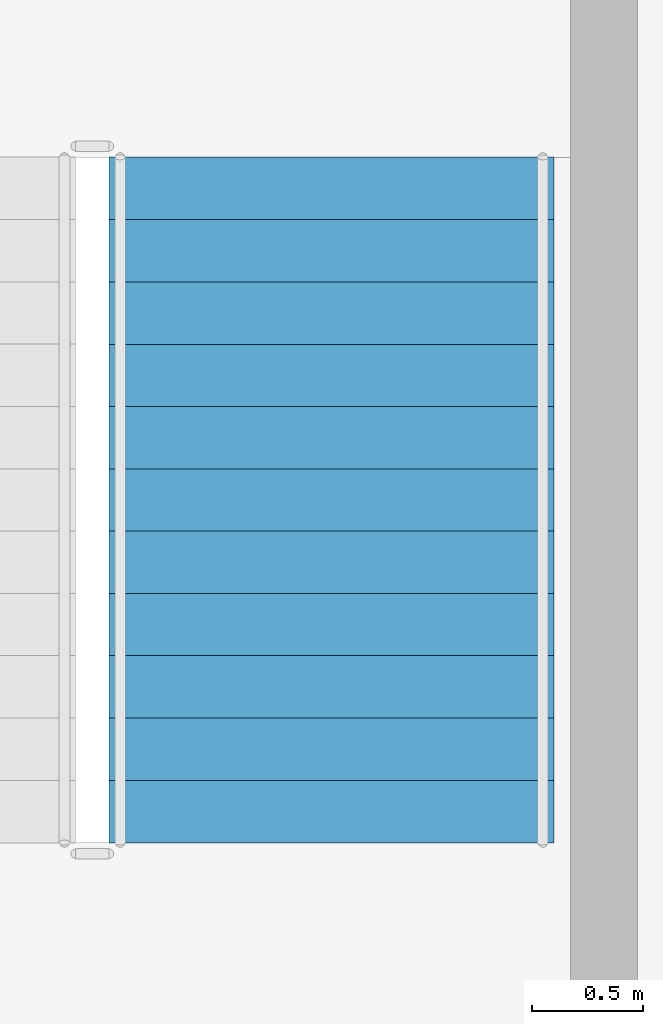
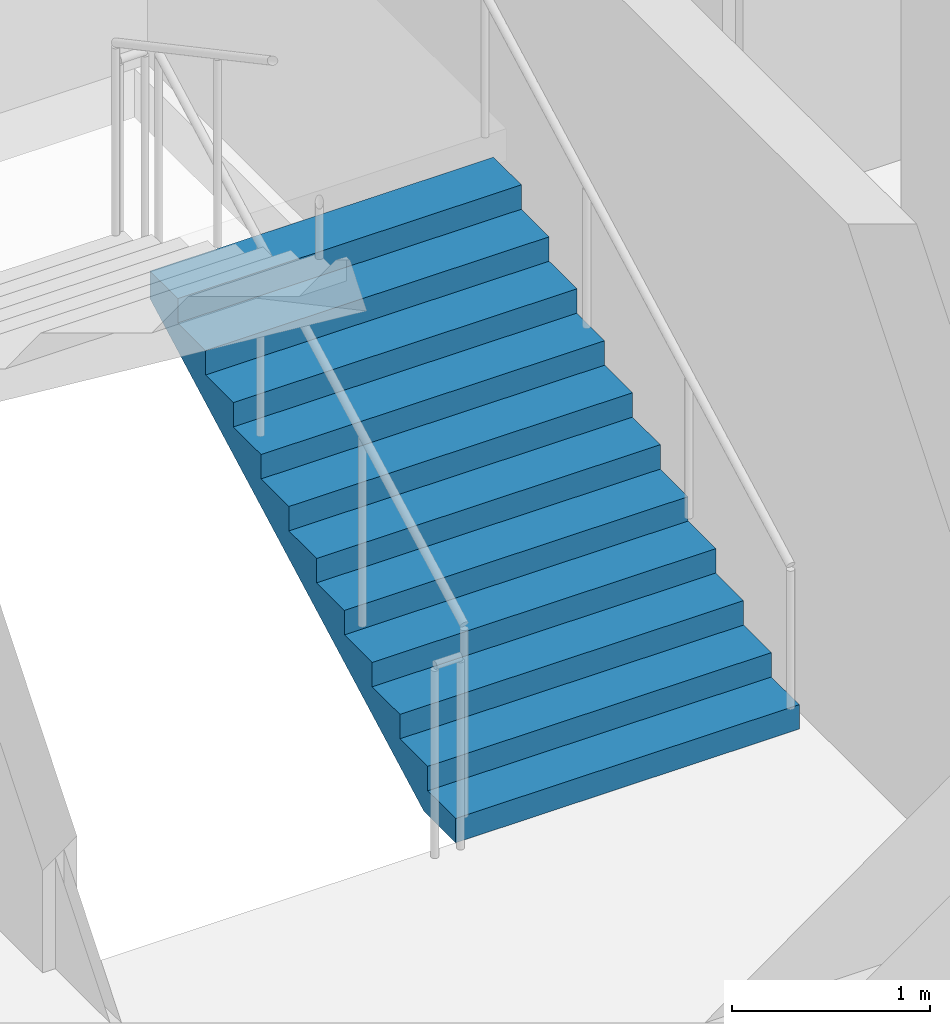
# One storey, part 12 of 21: 1 stair flight, 1 element without a shape of its own.
"""IFC4 building model written with IfcOpenShell, lengths in metres."""

from ifc_helpers import new_model, si_unit, direction, frame, origin, place, context, subcontext, project, spatial, polygons, material, type_object, element, aggregate, save


model = new_model("IFC4")

# Units and contexts
model_context = context("Model", 3, precision=1e-05, world=origin(), true_north=direction((0.0, 1.0)))
body_context = subcontext(model_context, "Body", "Model", "MODEL_VIEW")
ifc_project = project(units=[si_unit("LENGTHUNIT", "METRE"), si_unit("AREAUNIT", "SQUARE_METRE"), si_unit("VOLUMEUNIT", "CUBIC_METRE"), si_unit("PLANEANGLEUNIT", "RADIAN"), si_unit("MASSUNIT", "GRAM", prefix="KILO")], contexts=[model_context])

# Site, building, storey
site_placement = place(None, origin())
site = spatial("IfcSite", under=ifc_project, at=site_placement, CompositionType="ELEMENT")
building_placement = place(site_placement, origin())
building = spatial("IfcBuilding", under=site, at=building_placement, Name="Caravel Reach Hotel and Residences", CompositionType="ELEMENT")
storey_placement = place(building_placement, frame((0.0, 0.0, 115.199951171875)))
storey = spatial("IfcBuildingStorey", under=building, at=storey_placement, Name="L28", CompositionType="ELEMENT", Elevation=115.199951171875)

# Stair, stair flight
ifc_material_1 = material(Name="Concrete C40", Category="concrete")
stair_type = type_object("IfcStairType", Name="Core stair", PredefinedType="HALF_TURN_STAIR", material=ifc_material_1)
stair_placement = place(storey_placement, origin())
stair = element("IfcStair", 1, at=stair_placement, inside=storey, type_object=stair_type, Name="L28 Exit stair B", PredefinedType="HALF_TURN_STAIR")
ifc_material_2 = material(Name="Concrete C40", Category="concrete")
stair_flight_type = type_object("IfcStairFlightType", Name="Core stair flight", PredefinedType="STRAIGHT", material=ifc_material_2)
stair_flight_placement = place(storey_placement, frame((43.77490234375, 24.64990234375, 0.0), z_axis=(0.0, 0.0, 1.0), x_axis=(0.0, 1.0, 0.0)))
stair_flight = element("IfcStairFlight", 2, at=stair_flight_placement, type_object=stair_flight_type, Name="ST-B flight 1", NumberOfRisers=12, NumberOfTreads=11, PredefinedType="STRAIGHT", RiserHeight=0.15, TreadLength=0.28, context=body_context, shape_type="Tessellation", body=[
    polygons([(0.3174408016601862, 1.0, 0.0), (0.3174408016601862, 0.6666666666666667, 0.0), (0.3174408016601862, 0.33333333333333337, 0.0), (0.3174408016601862, 0.0, 0.0), (0.3174408016601862, -0.33333333333333326, 0.0), (0.3174408016601862, -0.6666666666666667, 0.0), (0.3174408016601862, -1.0, 0.0), (3.081, 1.0, 1.479942427682043), (3.081, 0.6666666666666667, 1.479942427682043), (3.081, 0.33333333333333337, 1.479942427682043), (3.081, 0.0, 1.479942427682043), (3.081, -0.33333333333333326, 1.479942427682043), (3.081, -0.6666666666666667, 1.479942427682043), (3.081, -1.0, 1.479942427682043), (3.081, 1.0, 1.65), (3.081, 0.6666666666666667, 1.65), (3.081, 0.33333333333333337, 1.65), (3.081, 0.0, 1.65), (3.081, -0.33333333333333326, 1.65), (3.081, -0.6666666666666667, 1.65), (3.081, -1.0, 1.65), (2.8000000000000003, 1.0, 1.65), (2.8000000000000003, 0.6666666666666667, 1.65), (2.8000000000000003, 0.33333333333333337, 1.65), (2.8000000000000003, 0.0, 1.65), (2.8000000000000003, -0.33333333333333326, 1.65), (2.8000000000000003, -0.6666666666666667, 1.65), (2.8000000000000003, -1.0, 1.65), (2.8000000000000003, 1.0, 1.5), (2.8000000000000003, 0.6666666666666667, 1.5), (2.8000000000000003, 0.33333333333333337, 1.5), (2.8000000000000003, 0.0, 1.5), (2.8000000000000003, -0.33333333333333326, 1.5), (2.8000000000000003, -0.6666666666666667, 1.5), (2.8000000000000003, -1.0, 1.5), (2.5200000000000005, 1.0, 1.5), (2.5200000000000005, 0.6666666666666667, 1.5), (2.5200000000000005, 0.33333333333333337, 1.5), (2.5200000000000005, 0.0, 1.5), (2.5200000000000005, -0.33333333333333326, 1.5), (2.5200000000000005, -0.6666666666666667, 1.5), (2.5200000000000005, -1.0, 1.5), (2.5200000000000005, 1.0, 1.3499999999999999), (2.5200000000000005, 0.6666666666666667, 1.3499999999999999), (2.5200000000000005, 0.33333333333333337, 1.3499999999999999), (2.5200000000000005, 0.0, 1.3499999999999999), (2.5200000000000005, -0.33333333333333326, 1.3499999999999999), (2.5200000000000005, -0.6666666666666667, 1.3499999999999999), (2.5200000000000005, -1.0, 1.3499999999999999), (2.24, 1.0, 1.3499999999999999), (2.24, 0.6666666666666667, 1.3499999999999999), (2.24, 0.33333333333333337, 1.3499999999999999), (2.24, 0.0, 1.3499999999999999), (2.24, -0.33333333333333326, 1.3499999999999999), (2.24, -0.6666666666666667, 1.3499999999999999), (2.24, -1.0, 1.3499999999999999), (2.24, 1.0, 1.2), (2.24, 0.6666666666666667, 1.2), (2.24, 0.33333333333333337, 1.2), (2.24, 0.0, 1.2), (2.24, -0.33333333333333326, 1.2), (2.24, -0.6666666666666667, 1.2), (2.24, -1.0, 1.2), (1.9600000000000002, 1.0, 1.2), (1.9600000000000002, 0.6666666666666667, 1.2), (1.9600000000000002, 0.33333333333333337, 1.2), (1.9600000000000002, 0.0, 1.2), (1.9600000000000002, -0.33333333333333326, 1.2), (1.9600000000000002, -0.6666666666666667, 1.2), (1.9600000000000002, -1.0, 1.2), (1.9600000000000002, 1.0, 1.05), (1.9600000000000002, 0.6666666666666667, 1.05), (1.9600000000000002, 0.33333333333333337, 1.05), (1.9600000000000002, 0.0, 1.05), (1.9600000000000002, -0.33333333333333326, 1.05), (1.9600000000000002, -0.6666666666666667, 1.05), (1.9600000000000002, -1.0, 1.05), (1.6800000000000002, 1.0, 1.05), (1.6800000000000002, 0.6666666666666667, 1.05), (1.6800000000000002, 0.33333333333333337, 1.05), (1.6800000000000002, 0.0, 1.05), (1.6800000000000002, -0.33333333333333326, 1.05), (1.6800000000000002, -0.6666666666666667, 1.05), (1.6800000000000002, -1.0, 1.05), (1.6800000000000002, 1.0, 0.8999999999999999), (1.6800000000000002, 0.6666666666666667, 0.8999999999999999), (1.6800000000000002, 0.33333333333333337, 0.8999999999999999), (1.6800000000000002, 0.0, 0.8999999999999999), (1.6800000000000002, -0.33333333333333326, 0.8999999999999999), (1.6800000000000002, -0.6666666666666667, 0.8999999999999999), (1.6800000000000002, -1.0, 0.8999999999999999), (1.4000000000000001, 1.0, 0.8999999999999999), (1.4000000000000001, 0.6666666666666667, 0.8999999999999999), (1.4000000000000001, 0.33333333333333337, 0.8999999999999999), (1.4000000000000001, 0.0, 0.8999999999999999), (1.4000000000000001, -0.33333333333333326, 0.8999999999999999), (1.4000000000000001, -0.6666666666666667, 0.8999999999999999), (1.4000000000000001, -1.0, 0.8999999999999999), (1.4000000000000001, 1.0, 0.75), (1.4000000000000001, 0.6666666666666667, 0.75), (1.4000000000000001, 0.33333333333333337, 0.75), (1.4000000000000001, 0.0, 0.75), (1.4000000000000001, -0.33333333333333326, 0.75), (1.4000000000000001, -0.6666666666666667, 0.75), (1.4000000000000001, -1.0, 0.75), (1.12, 1.0, 0.75), (1.12, 0.6666666666666667, 0.75), (1.12, 0.33333333333333337, 0.75), (1.12, 0.0, 0.75), (1.12, -0.33333333333333326, 0.75), (1.12, -0.6666666666666667, 0.75), (1.12, -1.0, 0.75), (1.12, 1.0, 0.6), (1.12, 0.6666666666666667, 0.6), (1.12, 0.33333333333333337, 0.6), (1.12, 0.0, 0.6), (1.12, -0.33333333333333326, 0.6), (1.12, -0.6666666666666667, 0.6), (1.12, -1.0, 0.6), (0.8400000000000001, 1.0, 0.6), (0.8400000000000001, 0.6666666666666667, 0.6), (0.8400000000000001, 0.33333333333333337, 0.6), (0.8400000000000001, 0.0, 0.6), (0.8400000000000001, -0.33333333333333326, 0.6), (0.8400000000000001, -0.6666666666666667, 0.6), (0.8400000000000001, -1.0, 0.6), (0.8400000000000001, 1.0, 0.44999999999999996), (0.8400000000000001, 0.6666666666666667, 0.44999999999999996), (0.8400000000000001, 0.33333333333333337, 0.44999999999999996), (0.8400000000000001, 0.0, 0.44999999999999996), (0.8400000000000001, -0.33333333333333326, 0.44999999999999996), (0.8400000000000001, -0.6666666666666667, 0.44999999999999996), (0.8400000000000001, -1.0, 0.44999999999999996), (0.56, 1.0, 0.44999999999999996), (0.56, 0.6666666666666667, 0.44999999999999996), (0.56, 0.33333333333333337, 0.44999999999999996), (0.56, 0.0, 0.44999999999999996), (0.56, -0.33333333333333326, 0.44999999999999996), (0.56, -0.6666666666666667, 0.44999999999999996), (0.56, -1.0, 0.44999999999999996), (0.56, 1.0, 0.3), (0.56, 0.6666666666666667, 0.3), (0.56, 0.33333333333333337, 0.3), (0.56, 0.0, 0.3), (0.56, -0.33333333333333326, 0.3), (0.56, -0.6666666666666667, 0.3), (0.56, -1.0, 0.3), (0.28, 1.0, 0.3), (0.28, 0.6666666666666667, 0.3), (0.28, 0.33333333333333337, 0.3), (0.28, 0.0, 0.3), (0.28, -0.33333333333333326, 0.3), (0.28, -0.6666666666666667, 0.3), (0.28, -1.0, 0.3), (0.28, 1.0, 0.15), (0.28, 0.6666666666666667, 0.15), (0.28, 0.33333333333333337, 0.15), (0.28, 0.0, 0.15), (0.28, -0.33333333333333326, 0.15), (0.28, -0.6666666666666667, 0.15), (0.28, -1.0, 0.15), (-0.001, 1.0, 0.15), (-0.001, 0.6666666666666667, 0.15), (-0.001, 0.33333333333333337, 0.15), (-0.001, 0.0, 0.15), (-0.001, -0.33333333333333326, 0.15), (-0.001, -0.6666666666666667, 0.15), (-0.001, -1.0, 0.15), (-0.001, 1.0, 0.0), (-0.001, 0.6666666666666667, 0.0), (-0.001, 0.33333333333333337, 0.0), (-0.001, 0.0, 0.0), (-0.001, -0.33333333333333326, 0.0), (-0.001, -0.6666666666666667, 0.0), (-0.001, -1.0, 0.0)], [[[169, 162, 155, 148, 141, 134, 127, 120, 113, 106, 99, 92, 85, 78, 71, 64, 57, 50, 43, 36, 29, 22, 15, 8, 1]], [[7, 14, 21, 28, 35, 42, 49, 56, 63, 70, 77, 84, 91, 98, 105, 112, 119, 126, 133, 140, 147, 154, 161, 168, 175]], [[1, 8, 9, 2]], [[2, 9, 10, 3]], [[3, 10, 11, 4]], [[4, 11, 12, 5]], [[5, 12, 13, 6]], [[6, 13, 14, 7]], [[8, 15, 16, 9]], [[9, 16, 17, 10]], [[10, 17, 18, 11]], [[11, 18, 19, 12]], [[12, 19, 20, 13]], [[13, 20, 21, 14]], [[15, 22, 23, 16]], [[16, 23, 24, 17]], [[17, 24, 25, 18]], [[18, 25, 26, 19]], [[19, 26, 27, 20]], [[20, 27, 28, 21]], [[22, 29, 30, 23]], [[23, 30, 31, 24]], [[24, 31, 32, 25]], [[25, 32, 33, 26]], [[26, 33, 34, 27]], [[27, 34, 35, 28]], [[29, 36, 37, 30]], [[30, 37, 38, 31]], [[31, 38, 39, 32]], [[32, 39, 40, 33]], [[33, 40, 41, 34]], [[34, 41, 42, 35]], [[36, 43, 44, 37]], [[37, 44, 45, 38]], [[38, 45, 46, 39]], [[39, 46, 47, 40]], [[40, 47, 48, 41]], [[41, 48, 49, 42]], [[43, 50, 51, 44]], [[44, 51, 52, 45]], [[45, 52, 53, 46]], [[46, 53, 54, 47]], [[47, 54, 55, 48]], [[48, 55, 56, 49]], [[50, 57, 58, 51]], [[51, 58, 59, 52]], [[52, 59, 60, 53]], [[53, 60, 61, 54]], [[54, 61, 62, 55]], [[55, 62, 63, 56]], [[57, 64, 65, 58]], [[58, 65, 66, 59]], [[59, 66, 67, 60]], [[60, 67, 68, 61]], [[61, 68, 69, 62]], [[62, 69, 70, 63]], [[64, 71, 72, 65]], [[65, 72, 73, 66]], [[66, 73, 74, 67]], [[67, 74, 75, 68]], [[68, 75, 76, 69]], [[69, 76, 77, 70]], [[71, 78, 79, 72]], [[72, 79, 80, 73]], [[73, 80, 81, 74]], [[74, 81, 82, 75]], [[75, 82, 83, 76]], [[76, 83, 84, 77]], [[78, 85, 86, 79]], [[79, 86, 87, 80]], [[80, 87, 88, 81]], [[81, 88, 89, 82]], [[82, 89, 90, 83]], [[83, 90, 91, 84]], [[85, 92, 93, 86]], [[86, 93, 94, 87]], [[87, 94, 95, 88]], [[88, 95, 96, 89]], [[89, 96, 97, 90]], [[90, 97, 98, 91]], [[92, 99, 100, 93]], [[93, 100, 101, 94]], [[94, 101, 102, 95]], [[95, 102, 103, 96]], [[96, 103, 104, 97]], [[97, 104, 105, 98]], [[99, 106, 107, 100]], [[100, 107, 108, 101]], [[101, 108, 109, 102]], [[102, 109, 110, 103]], [[103, 110, 111, 104]], [[104, 111, 112, 105]], [[106, 113, 114, 107]], [[107, 114, 115, 108]], [[108, 115, 116, 109]], [[109, 116, 117, 110]], [[110, 117, 118, 111]], [[111, 118, 119, 112]], [[113, 120, 121, 114]], [[114, 121, 122, 115]], [[115, 122, 123, 116]], [[116, 123, 124, 117]], [[117, 124, 125, 118]], [[118, 125, 126, 119]], [[120, 127, 128, 121]], [[121, 128, 129, 122]], [[122, 129, 130, 123]], [[123, 130, 131, 124]], [[124, 131, 132, 125]], [[125, 132, 133, 126]], [[127, 134, 135, 128]], [[128, 135, 136, 129]], [[129, 136, 137, 130]], [[130, 137, 138, 131]], [[131, 138, 139, 132]], [[132, 139, 140, 133]], [[134, 141, 142, 135]], [[135, 142, 143, 136]], [[136, 143, 144, 137]], [[137, 144, 145, 138]], [[138, 145, 146, 139]], [[139, 146, 147, 140]], [[141, 148, 149, 142]], [[142, 149, 150, 143]], [[143, 150, 151, 144]], [[144, 151, 152, 145]], [[145, 152, 153, 146]], [[146, 153, 154, 147]], [[148, 155, 156, 149]], [[149, 156, 157, 150]], [[150, 157, 158, 151]], [[151, 158, 159, 152]], [[152, 159, 160, 153]], [[153, 160, 161, 154]], [[155, 162, 163, 156]], [[156, 163, 164, 157]], [[157, 164, 165, 158]], [[158, 165, 166, 159]], [[159, 166, 167, 160]], [[160, 167, 168, 161]], [[162, 169, 170, 163]], [[163, 170, 171, 164]], [[164, 171, 172, 165]], [[165, 172, 173, 166]], [[166, 173, 174, 167]], [[167, 174, 175, 168]], [[169, 1, 2, 170]], [[170, 2, 3, 171]], [[171, 3, 4, 172]], [[172, 4, 5, 173]], [[173, 5, 6, 174]], [[174, 6, 7, 175]]], closed=True),
])
aggregate(stair, [stair_flight])

save(model, "model.ifc")
